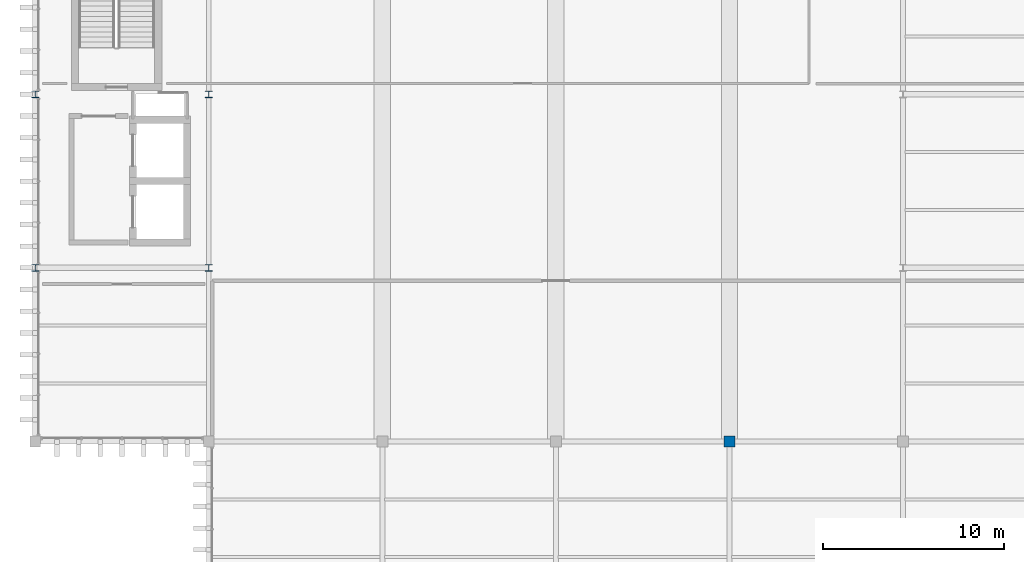
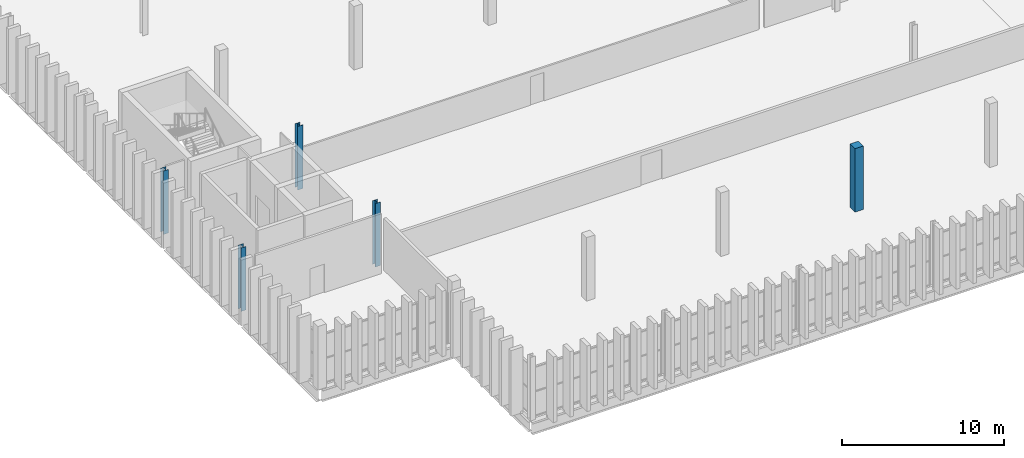
# One storey, part 3 of 99: 5 columns.
"""IFC4 building model written with IfcOpenShell, lengths in metres."""

import ifcopenshell
import ifcopenshell.guid

model = None  # the IFC model being written
_history = None  # IfcOwnerHistory: only IFC2X3 demands one
_inside = {}  # id of a spatial element -> (the spatial element, [elements in it])
_under = {}  # id of a project, library or spatial element -> (it, [spatial elements below it])
_declared = {}  # id of a project -> (the project, [libraries it declares])
_typed = {}  # id of a type object -> (the type object, [elements of that type])
_made_of = {}  # id of a material, layer set ... -> (it, [elements and type objects made of it])


def new_model(schema):
    """Start an empty IFC model of exactly this schema.

    Asked for "IFC4X3", IfcOpenShell would pick the latest addendum, in which some entities
    have other attributes; the version numbers below select the first issue.
    IFC2X3 requires an IfcOwnerHistory on every rooted entity: one is made here for all.
    """
    global model, _history
    if schema == "IFC4X3":
        model = ifcopenshell.file(schema_version=(4, 3, 0, 0))
    else:
        model = ifcopenshell.file(schema=schema)
    _inside.clear()
    _under.clear()
    _declared.clear()
    _typed.clear()
    _made_of.clear()
    _history = None
    if model.schema == "IFC2X3":
        org = make("IfcOrganization", Name="unknown")
        user = make(
            "IfcPersonAndOrganization",
            ThePerson=make("IfcPerson", FamilyName="unknown"),
            TheOrganization=org,
        )
        app = make(
            "IfcApplication",
            ApplicationDeveloper=org,
            Version="unknown",
            ApplicationFullName="unknown",
            ApplicationIdentifier="unknown",
        )
        _history = make(
            "IfcOwnerHistory",
            OwningUser=user,
            OwningApplication=app,
            ChangeAction="ADDED",
            CreationDate=0,
        )
    return model


def make(cls, **values):
    """One entity of the class cls with the attributes given. An attribute that is None is left unset."""
    return model.create_entity(
        cls, **{name: value for name, value in values.items() if value is not None}
    )


def rooted(cls, **values):
    """An entity with a GlobalId (a new one), such as an element, a storey or a relation."""
    return make(cls, GlobalId=ifcopenshell.guid.new(), OwnerHistory=_history, **values)


def si_unit(unit_type, name, prefix=None):
    """IfcSIUnit, for example si_unit("LENGTHUNIT", "METRE", prefix="MILLI")."""
    return make("IfcSIUnit", UnitType=unit_type, Prefix=prefix, Name=name)


def assignment(units):
    """IfcUnitAssignment: the units of a project."""
    return None if units is None else make("IfcUnitAssignment", Units=units)


def point(xyz):
    """IfcCartesianPoint."""
    return None if xyz is None else make("IfcCartesianPoint", Coordinates=xyz)


def direction(xyz):
    """IfcDirection."""
    return None if xyz is None else make("IfcDirection", DirectionRatios=xyz)


def frame(location, z_axis=None, x_axis=None):
    """IfcAxis2Placement3D, a coordinate frame: its origin and axes. An axis left out is left unset."""
    return make(
        "IfcAxis2Placement3D",
        Location=point(location),
        Axis=direction(z_axis),
        RefDirection=direction(x_axis),
    )


def frame_2d(location, x_axis=None):
    """IfcAxis2Placement2D, a coordinate frame in the plane: its origin and x axis."""
    return make(
        "IfcAxis2Placement2D", Location=point(location), RefDirection=direction(x_axis)
    )


def origin():
    """The frame at (0, 0, 0) with its axes left unset."""
    return frame((0.0, 0.0, 0.0))


def origin_2d():
    """The frame at (0, 0) in the plane with its x axis left unset."""
    return frame_2d((0.0, 0.0))


def place(relative_to, where):
    """IfcLocalPlacement: puts the frame where relative to a parent placement (None: the world)."""
    return make(
        "IfcLocalPlacement", PlacementRelTo=relative_to, RelativePlacement=where
    )


def context(
    kind, dimensions, precision=None, world=None, true_north=None, identifier=None
):
    """IfcGeometricRepresentationContext, for example the 3D "Model" context."""
    return make(
        "IfcGeometricRepresentationContext",
        ContextIdentifier=identifier,
        ContextType=kind,
        CoordinateSpaceDimension=dimensions,
        Precision=precision,
        WorldCoordinateSystem=world,
        TrueNorth=true_north,
    )


def subcontext(parent, identifier, kind, view, scale=None):
    """IfcGeometricRepresentationSubContext, for example "Body" below "Model"."""
    return make(
        "IfcGeometricRepresentationSubContext",
        ContextIdentifier=identifier,
        ContextType=kind,
        ParentContext=parent,
        TargetScale=scale,
        TargetView=view,
    )


def project(units=None, contexts=None):
    """IfcProject with its units and contexts."""
    return rooted(
        "IfcProject",
        Name="project",
        RepresentationContexts=contexts,
        UnitsInContext=assignment(units),
    )


def spatial(cls, under=None, at=None, **own):
    """A site, building, storey or space (cls), placed at a placement, below another one or the project."""
    s = rooted(cls, ObjectPlacement=at, **own)
    if under is not None:
        _under.setdefault(under.id(), (under, []))[1].append(s)
    return s


def profile(cls, at=None, kind="AREA", **sizes):
    """A parametric profile (cls). Its sizes go by their IFC names, for example OverallWidth=200.0."""
    return make(cls, ProfileType=kind, Position=at, **sizes)


def rectangle(**sizes):
    """IfcRectangleProfileDef."""
    return profile("IfcRectangleProfileDef", **sizes)


def i_section(**sizes):
    """IfcIShapeProfileDef."""
    return profile("IfcIShapeProfileDef", **sizes)


def extrude(swept, where, along, depth):
    """IfcExtrudedAreaSolid: the profile swept, set in the frame where, extruded along a direction by depth."""
    return make(
        "IfcExtrudedAreaSolid",
        SweptArea=swept,
        Position=where,
        ExtrudedDirection=direction(along),
        Depth=depth,
    )


def shape(context_of_items, identifier, shape_type, items):
    """IfcShapeRepresentation: the items that make up one representation, for example the "Body"."""
    return make(
        "IfcShapeRepresentation",
        ContextOfItems=context_of_items,
        RepresentationIdentifier=identifier,
        RepresentationType=shape_type,
        Items=items,
    )


def material(Name=None, Category=None):
    """IfcMaterial."""
    return make("IfcMaterial", Name=Name, Category=Category)


def material_profile(
    of_material, cross_section, Name=None, Category=None, Priority=None
):
    """IfcMaterialProfile: a cross section and its material."""
    return make(
        "IfcMaterialProfile",
        Name=Name,
        Material=of_material,
        Profile=cross_section,
        Priority=Priority,
        Category=Category,
    )


def profile_set(profiles, Name=None, composite=None):
    """IfcMaterialProfileSet."""
    return make(
        "IfcMaterialProfileSet",
        Name=Name,
        MaterialProfiles=profiles,
        CompositeProfile=composite,
    )


def made_of(thing, what):
    """Note that an element or type object is made of a material, layer set ...; save() writes the relation."""
    if what is not None:
        _made_of.setdefault(what.id(), (what, []))[1].append(thing)
    return thing


def type_object(cls, material=None, **own):
    """A type object (cls), such as IfcWallType, which elements share."""
    return made_of(rooted(cls, **own), material)


def element(
    cls,
    number,
    at=None,
    inside=None,
    cuts=None,
    type_object=None,
    material=None,
    context=None,
    identifier="Body",
    shape_type=None,
    held_by="IfcProductDefinitionShape",
    body=None,
    shapes=None,
    **own,
):
    """One element of the class cls, such as IfcWall. Its Tag is "e" and its number.

    at: its placement. inside: the storey or other place that contains it. cuts: it is an
    opening in that element (IfcRelVoidsElement). A single representation is given by context,
    identifier, shape_type and body (its items); several are given by shapes. held_by: the class
    of the entity that holds the representations. save() writes the other relations.
    """
    e = rooted(cls, Tag="e%d" % number, ObjectPlacement=at, **own)
    if body is not None:
        shapes = [shape(context, identifier, shape_type, body)]
    if shapes is not None:
        e.Representation = make(held_by, Representations=shapes)
    if inside is not None:
        _inside.setdefault(inside.id(), (inside, []))[1].append(e)
    if cuts is not None:
        rooted(
            "IfcRelVoidsElement", RelatingBuildingElement=cuts, RelatedOpeningElement=e
        )
    if type_object is not None:
        _typed.setdefault(type_object.id(), (type_object, []))[1].append(e)
    return made_of(e, material)


def aggregate(whole, parts):
    """IfcRelAggregates: a whole, such as a stair, and the parts it consists of."""
    return rooted("IfcRelAggregates", RelatingObject=whole, RelatedObjects=parts)


def save(model, path):
    """Write the relations noted so far, then the file.

    IfcRelAggregates (storeys below a building ...), IfcRelContainedInSpatialStructure (elements
    in a storey), IfcRelDefinesByType, IfcRelAssociatesMaterial and IfcRelDeclares: one each for
    every whole, place, type object, material and project.
    """
    for whole, parts in _under.values():
        aggregate(whole, parts)
    for where, things in _inside.values():
        rooted(
            "IfcRelContainedInSpatialStructure",
            RelatedElements=things,
            RelatingStructure=where,
        )
    for kind, things in _typed.values():
        rooted("IfcRelDefinesByType", RelatedObjects=things, RelatingType=kind)
    for what, things in _made_of.values():
        rooted("IfcRelAssociatesMaterial", RelatedObjects=things, RelatingMaterial=what)
    for by, libraries in _declared.values():
        rooted("IfcRelDeclares", RelatingContext=by, RelatedDefinitions=libraries)
    model.write(path)


model = new_model("IFC4")

# Units and contexts
model_context = context("Model", 3, precision=1e-05, world=origin(), true_north=direction((0.0, 1.0)))
body_context = subcontext(model_context, "Body", "Model", "MODEL_VIEW")
ifc_project = project(units=[si_unit("LENGTHUNIT", "METRE"), si_unit("AREAUNIT", "SQUARE_METRE"), si_unit("VOLUMEUNIT", "CUBIC_METRE"), si_unit("PLANEANGLEUNIT", "RADIAN"), si_unit("MASSUNIT", "GRAM", prefix="KILO")], contexts=[model_context])

# Site, building, storey
site_placement = place(None, origin())
site = spatial("IfcSite", under=ifc_project, at=site_placement, CompositionType="ELEMENT")
building_placement = place(site_placement, origin())
building = spatial("IfcBuilding", under=site, at=building_placement, Name="Caelomonte Colonnade Arena", CompositionType="ELEMENT")
storey_placement = place(building_placement, frame((0.0, 0.0, 4.800048828125)))
storey = spatial("IfcBuildingStorey", under=building, at=storey_placement, Name="L01", CompositionType="ELEMENT", Elevation=4.800048828125)

# Columns
ifc_material_1 = material(Name="Concrete C40/50", Category="concrete")
ifc_material_profile_1 = material_profile(ifc_material_1, rectangle(XDim=0.60009765625, YDim=0.60009765625, at=origin_2d()), Name="RC600X600")
ifc_profile_set_1 = profile_set([ifc_material_profile_1], Name="Concrete C40/50")
column_type_1 = type_object("IfcColumnType", Name="STR-COL-RC06", PredefinedType="COLUMN", material=ifc_profile_set_1)
column_placement = place(storey_placement, frame((38.39990234375, 38.39990234375, 0.0), z_axis=(0.0, 0.0, 1.0), x_axis=(1.0, 0.0, 0.0)))
element("IfcColumn", 1, at=column_placement, inside=storey, type_object=column_type_1, Name="L01 column (38.4, 38.4)", PredefinedType="COLUMN", context=body_context, shape_type="SweptSolid", body=[
    extrude(rectangle(XDim=0.60009765625, YDim=0.60009765625, at=origin_2d()), origin(), (0.0, 0.0, 1.0), 4.800048828125),
])
ifc_material_2 = material(Name="Wide-flange steel ASTM A992 Grade 50", Category="steel")
ifc_material_profile_2 = material_profile(ifc_material_2, i_section(OverallWidth=0.368896484375, OverallDepth=0.356201171875, WebThickness=0.01123046875, FlangeThickness=0.01806640625, FilletRadius=0.01513671875, at=origin_2d()), Name="W14X90")
ifc_profile_set_2 = profile_set([ifc_material_profile_2], Name="Wide-flange steel ASTM A992 Grade 50")
column_type_2 = type_object("IfcColumnType", Name="STR-COL-W14B", PredefinedType="COLUMN", material=ifc_profile_set_2)
for number, where, z_axis, x_axis, name in (
    (2, (0.0, 48.0, 0.0), (0.0, 0.0, 1.0), (1.0, 0.0, 0.0), "L01 column (0.0, 48.0)"),
    (3, (0.0, 57.60009765625, 0.0), (0.0, 0.0, 1.0), (1.0, 0.0, 0.0), "L01 column (0.0, 57.6)"),
    (4, (9.60009765625, 48.0, 0.0), (0.0, 0.0, 1.0), (1.0, 0.0, 0.0), "L01 column (9.6, 48.0)"),
    (5, (9.60009765625, 57.60009765625, 0.0), (0.0, 0.0, 1.0), (1.0, 0.0, 0.0), "L01 column (9.6, 57.6)"),
):
    element("IfcColumn", number, at=place(storey_placement, frame(where, z_axis=z_axis, x_axis=x_axis)), inside=storey, type_object=column_type_2, Name=name, PredefinedType="COLUMN", context=body_context, shape_type="SweptSolid", body=[
        extrude(i_section(OverallWidth=0.368896484375, OverallDepth=0.356201171875, WebThickness=0.01123046875, FlangeThickness=0.01806640625, FilletRadius=0.01513671875, at=origin_2d()), origin(), (0.0, 0.0, 1.0), 4.800048828125),
    ])

save(model, "model.ifc")
